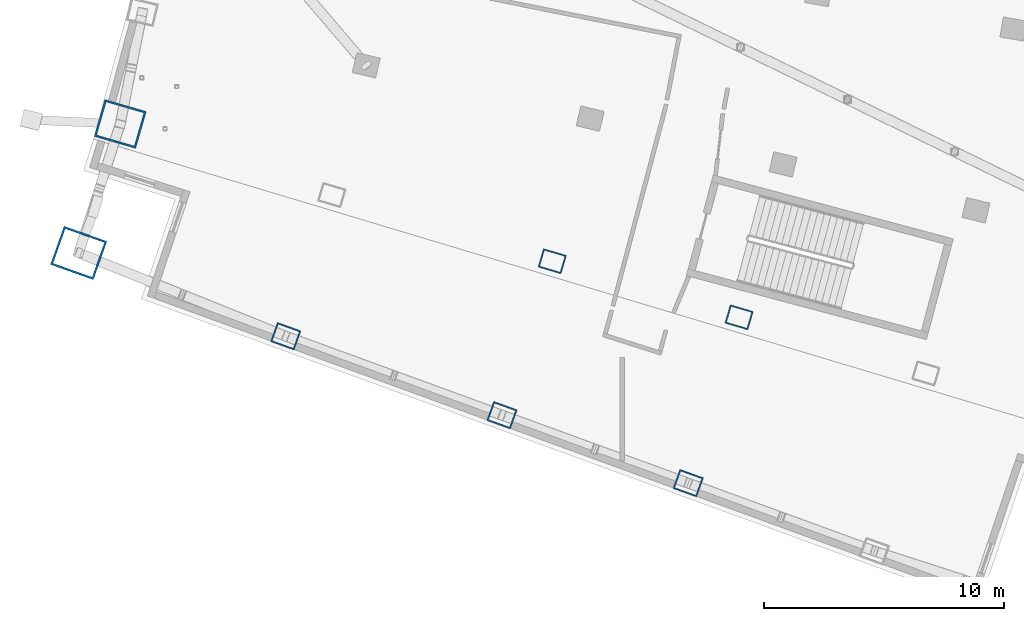
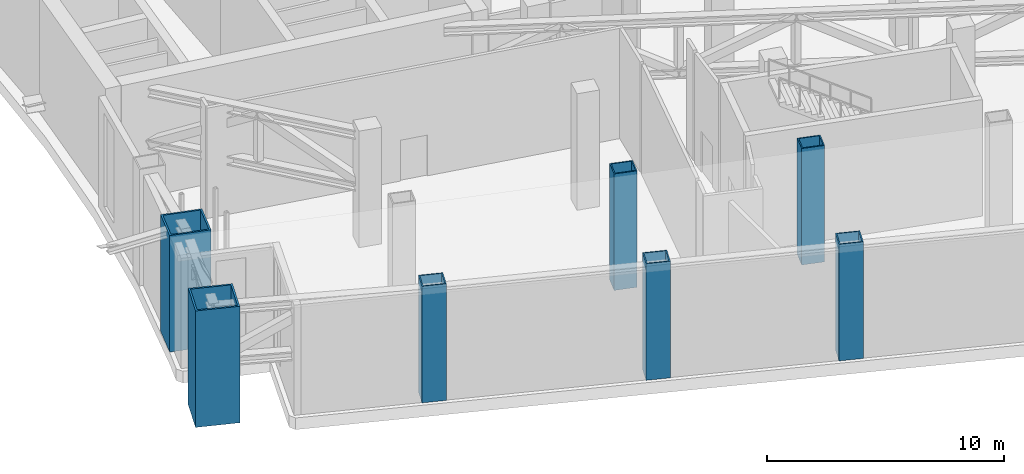
# One storey, part 1 of 26: 7 columns.
"""IFC4 building model written with IfcOpenShell, lengths in metres."""

from ifc_helpers import new_model, si_unit, direction, frame, origin, origin_2d, place, context, subcontext, project, spatial, hollow_rectangle, extrude, material, material_profile, profile_set, type_object, element, save


model = new_model("IFC4")

# Units and contexts
model_context = context("Model", 3, precision=1e-05, world=origin(), true_north=direction((0.0, 1.0)))
body_context = subcontext(model_context, "Body", "Model", "MODEL_VIEW")
ifc_project = project(units=[si_unit("LENGTHUNIT", "METRE"), si_unit("AREAUNIT", "SQUARE_METRE"), si_unit("VOLUMEUNIT", "CUBIC_METRE"), si_unit("PLANEANGLEUNIT", "RADIAN"), si_unit("MASSUNIT", "GRAM", prefix="KILO")], contexts=[model_context])

# Site, building, storey
site_placement = place(None, origin())
site = spatial("IfcSite", under=ifc_project, at=site_placement, CompositionType="ELEMENT")
building_placement = place(site_placement, origin())
building = spatial("IfcBuilding", under=site, at=building_placement, Name="Alderwake Tower", CompositionType="ELEMENT")
storey_placement = place(building_placement, frame((0.0, 0.0, 132.800048828125)))
storey = spatial("IfcBuildingStorey", under=building, at=storey_placement, Name="L32", CompositionType="ELEMENT", Elevation=132.800048828125)

# Columns
ifc_material_1 = material(Name="Steel ASTM A572 Grade 50 concrete filled C70/85", Category="concrete")
ifc_material_profile_1 = material_profile(ifc_material_1, hollow_rectangle(XDim=0.85009765625, YDim=1.050048828125, WallThickness=0.06005859375, at=origin_2d()), Name="BOX 1050X850X60")
ifc_profile_set_1 = profile_set([ifc_material_profile_1], Name="Steel ASTM A572 Grade 50 concrete filled C70/85")
column_type_1 = type_object("IfcColumnType", Name="End column Z2", PredefinedType="COLUMN", material=ifc_profile_set_1)
for number, where, z_axis, x_axis, name in (
    (1, (19.965576171875, 25.1484375, 0.0), (0.0, 0.0, 1.0), (0.337584879279, 0.9412950915, 0.0), "Column R01-C1"),
    (2, (28.983642578125, 21.856689453125, 0.0), (0.0, 0.0, 1.0), (0.338026774049, 0.941136493834, 0.0), "Column R01-C2"),
    (3, (36.749267578125, 19.02197265625, 0.0), (0.0, 0.0, 1.0), (0.338351987283, 0.941019623973, 0.0), "Column R01-C3"),
):
    element("IfcColumn", number, at=place(storey_placement, frame(where, z_axis=z_axis, x_axis=x_axis)), inside=storey, type_object=column_type_1, Name=name, PredefinedType="COLUMN", context=body_context, shape_type="SweptSolid", body=[
        extrude(hollow_rectangle(XDim=0.85009765625, YDim=1.050048828125, WallThickness=0.06005859375, at=origin_2d()), origin(), (0.0, 0.0, 1.0), 6.0),
    ])
ifc_material_2 = material(Name="Steel ASTM A572 Grade 50 concrete filled C70/85", Category="concrete")
ifc_material_profile_2 = material_profile(ifc_material_2, hollow_rectangle(XDim=0.800048828125, YDim=1.0, WallThickness=0.054931640625, at=origin_2d()), Name="BOX 1000X800X55")
ifc_profile_set_2 = profile_set([ifc_material_profile_2], Name="Steel ASTM A572 Grade 50 concrete filled C70/85")
column_type_2 = type_object("IfcColumnType", Name="End column Z3", PredefinedType="COLUMN", material=ifc_profile_set_2)
for number, where, z_axis, x_axis, name in (
    (4, (31.080322265625, 28.27685546875, 0.0), (0.0, 0.0, 1.0), (0.282582549822, 0.959242984095, 0.0), "Column R02-C2"),
    (5, (38.8701171875, 25.938232421875, 0.0), (0.0, 0.0, 1.0), (0.282909001444, 0.959146754622, 0.0), "Column R02-C3"),
):
    element("IfcColumn", number, at=place(storey_placement, frame(where, z_axis=z_axis, x_axis=x_axis)), inside=storey, type_object=column_type_2, Name=name, PredefinedType="COLUMN", context=body_context, shape_type="SweptSolid", body=[
        extrude(hollow_rectangle(XDim=0.800048828125, YDim=1.0, WallThickness=0.054931640625, at=origin_2d()), origin(), (0.0, 0.0, 1.0), 6.0),
    ])
ifc_material_3 = material(Name="Steel ASTM A572 Grade 50 concrete filled C70/85", Category="concrete")
ifc_material_profile_3 = material_profile(ifc_material_3, hollow_rectangle(XDim=1.699951171875, YDim=1.89990234375, WallThickness=0.0849609375, at=origin_2d()), Name="BOX 1900X1700X85")
ifc_profile_set_3 = profile_set([ifc_material_profile_3], Name="Steel ASTM A572 Grade 50 concrete filled C70/85")
column_type_3 = type_object("IfcColumnType", Name="Mega column Z2", PredefinedType="COLUMN", material=ifc_profile_set_3)
column_1_placement = place(storey_placement, frame((11.330810546875, 28.622802734375, 0.0), z_axis=(0.0, 0.0, 1.0), x_axis=(0.334130947791, 0.942526662609, 0.0)))
element("IfcColumn", 6, at=column_1_placement, inside=storey, type_object=column_type_3, Name="Column R01-C0", PredefinedType="COLUMN", context=body_context, shape_type="SweptSolid", body=[
    extrude(hollow_rectangle(XDim=1.699951171875, YDim=1.89990234375, WallThickness=0.0849609375, at=origin_2d()), origin(), (0.0, 0.0, 1.0), 6.0),
])
ifc_material_4 = material(Name="Steel ASTM A572 Grade 50 concrete filled C70/85", Category="concrete")
ifc_material_profile_4 = material_profile(ifc_material_4, hollow_rectangle(XDim=1.60009765625, YDim=1.800048828125, WallThickness=0.080078125, at=origin_2d()), Name="BOX 1800X1600X80")
ifc_profile_set_4 = profile_set([ifc_material_profile_4], Name="Steel ASTM A572 Grade 50 concrete filled C70/85")
column_type_4 = type_object("IfcColumnType", Name="Mega column Z3", PredefinedType="COLUMN", material=ifc_profile_set_4)
column_2_placement = place(storey_placement, frame((13.06298828125, 34.00244140625, 0.0), z_axis=(0.0, 0.0, 1.0), x_axis=(0.278612301868, 0.960403657452, 0.0)))
element("IfcColumn", 7, at=column_2_placement, inside=storey, type_object=column_type_4, Name="Column R02-C0", PredefinedType="COLUMN", context=body_context, shape_type="SweptSolid", body=[
    extrude(hollow_rectangle(XDim=1.60009765625, YDim=1.800048828125, WallThickness=0.080078125, at=origin_2d()), origin(), (0.0, 0.0, 1.0), 6.0),
])

save(model, "model.ifc")
